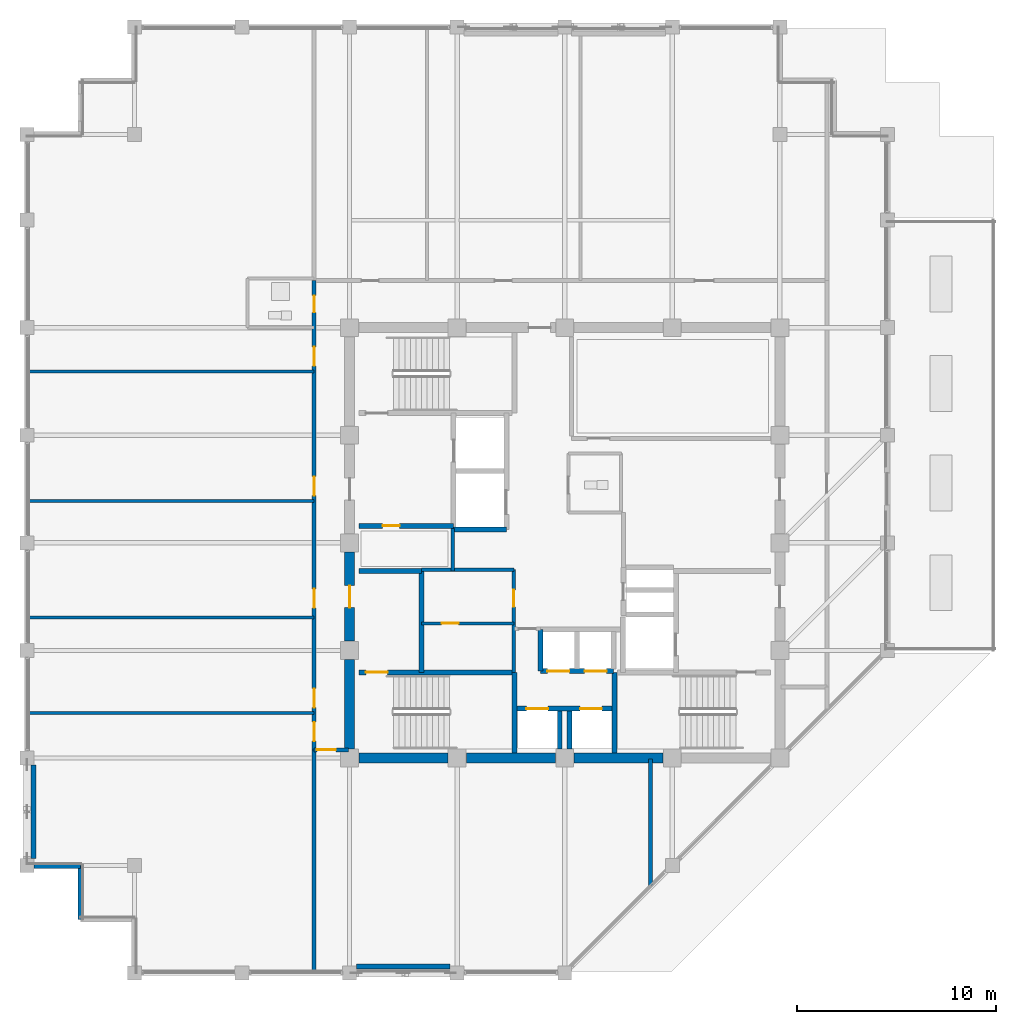
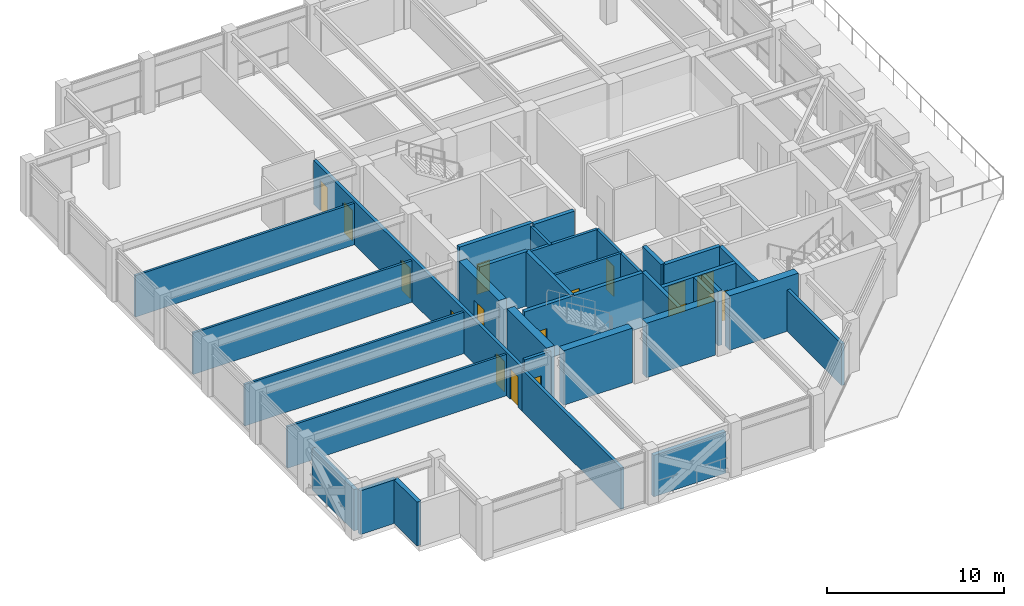
# One storey, part 26 of 34: 33 walls, 16 doors, 16 openings.
"""IFC4 building model written with IfcOpenShell, lengths in metres."""

import ifcopenshell
import ifcopenshell.guid

model = None  # the IFC model being written
_history = None  # IfcOwnerHistory: only IFC2X3 demands one
_inside = {}  # id of a spatial element -> (the spatial element, [elements in it])
_under = {}  # id of a project, library or spatial element -> (it, [spatial elements below it])
_declared = {}  # id of a project -> (the project, [libraries it declares])
_typed = {}  # id of a type object -> (the type object, [elements of that type])
_made_of = {}  # id of a material, layer set ... -> (it, [elements and type objects made of it])


def new_model(schema):
    """Start an empty IFC model of exactly this schema.

    Asked for "IFC4X3", IfcOpenShell would pick the latest addendum, in which some entities
    have other attributes; the version numbers below select the first issue.
    IFC2X3 requires an IfcOwnerHistory on every rooted entity: one is made here for all.
    """
    global model, _history
    if schema == "IFC4X3":
        model = ifcopenshell.file(schema_version=(4, 3, 0, 0))
    else:
        model = ifcopenshell.file(schema=schema)
    _inside.clear()
    _under.clear()
    _declared.clear()
    _typed.clear()
    _made_of.clear()
    _history = None
    if model.schema == "IFC2X3":
        org = make("IfcOrganization", Name="unknown")
        user = make(
            "IfcPersonAndOrganization",
            ThePerson=make("IfcPerson", FamilyName="unknown"),
            TheOrganization=org,
        )
        app = make(
            "IfcApplication",
            ApplicationDeveloper=org,
            Version="unknown",
            ApplicationFullName="unknown",
            ApplicationIdentifier="unknown",
        )
        _history = make(
            "IfcOwnerHistory",
            OwningUser=user,
            OwningApplication=app,
            ChangeAction="ADDED",
            CreationDate=0,
        )
    return model


def make(cls, **values):
    """One entity of the class cls with the attributes given. An attribute that is None is left unset."""
    return model.create_entity(
        cls, **{name: value for name, value in values.items() if value is not None}
    )


def rooted(cls, **values):
    """An entity with a GlobalId (a new one), such as an element, a storey or a relation."""
    return make(cls, GlobalId=ifcopenshell.guid.new(), OwnerHistory=_history, **values)


def si_unit(unit_type, name, prefix=None):
    """IfcSIUnit, for example si_unit("LENGTHUNIT", "METRE", prefix="MILLI")."""
    return make("IfcSIUnit", UnitType=unit_type, Prefix=prefix, Name=name)


def assignment(units):
    """IfcUnitAssignment: the units of a project."""
    return None if units is None else make("IfcUnitAssignment", Units=units)


def point(xyz):
    """IfcCartesianPoint."""
    return None if xyz is None else make("IfcCartesianPoint", Coordinates=xyz)


def direction(xyz):
    """IfcDirection."""
    return None if xyz is None else make("IfcDirection", DirectionRatios=xyz)


def frame(location, z_axis=None, x_axis=None):
    """IfcAxis2Placement3D, a coordinate frame: its origin and axes. An axis left out is left unset."""
    return make(
        "IfcAxis2Placement3D",
        Location=point(location),
        Axis=direction(z_axis),
        RefDirection=direction(x_axis),
    )


def frame_2d(location, x_axis=None):
    """IfcAxis2Placement2D, a coordinate frame in the plane: its origin and x axis."""
    return make(
        "IfcAxis2Placement2D", Location=point(location), RefDirection=direction(x_axis)
    )


def origin():
    """The frame at (0, 0, 0) with its axes left unset."""
    return frame((0.0, 0.0, 0.0))


def place(relative_to, where):
    """IfcLocalPlacement: puts the frame where relative to a parent placement (None: the world)."""
    return make(
        "IfcLocalPlacement", PlacementRelTo=relative_to, RelativePlacement=where
    )


def context(
    kind, dimensions, precision=None, world=None, true_north=None, identifier=None
):
    """IfcGeometricRepresentationContext, for example the 3D "Model" context."""
    return make(
        "IfcGeometricRepresentationContext",
        ContextIdentifier=identifier,
        ContextType=kind,
        CoordinateSpaceDimension=dimensions,
        Precision=precision,
        WorldCoordinateSystem=world,
        TrueNorth=true_north,
    )


def subcontext(parent, identifier, kind, view, scale=None):
    """IfcGeometricRepresentationSubContext, for example "Body" below "Model"."""
    return make(
        "IfcGeometricRepresentationSubContext",
        ContextIdentifier=identifier,
        ContextType=kind,
        ParentContext=parent,
        TargetScale=scale,
        TargetView=view,
    )


def project(units=None, contexts=None):
    """IfcProject with its units and contexts."""
    return rooted(
        "IfcProject",
        Name="project",
        RepresentationContexts=contexts,
        UnitsInContext=assignment(units),
    )


def spatial(cls, under=None, at=None, **own):
    """A site, building, storey or space (cls), placed at a placement, below another one or the project."""
    s = rooted(cls, ObjectPlacement=at, **own)
    if under is not None:
        _under.setdefault(under.id(), (under, []))[1].append(s)
    return s


def profile(cls, at=None, kind="AREA", **sizes):
    """A parametric profile (cls). Its sizes go by their IFC names, for example OverallWidth=200.0."""
    return make(cls, ProfileType=kind, Position=at, **sizes)


def rectangle(**sizes):
    """IfcRectangleProfileDef."""
    return profile("IfcRectangleProfileDef", **sizes)


def extrude(swept, where, along, depth):
    """IfcExtrudedAreaSolid: the profile swept, set in the frame where, extruded along a direction by depth."""
    return make(
        "IfcExtrudedAreaSolid",
        SweptArea=swept,
        Position=where,
        ExtrudedDirection=direction(along),
        Depth=depth,
    )


def shape(context_of_items, identifier, shape_type, items):
    """IfcShapeRepresentation: the items that make up one representation, for example the "Body"."""
    return make(
        "IfcShapeRepresentation",
        ContextOfItems=context_of_items,
        RepresentationIdentifier=identifier,
        RepresentationType=shape_type,
        Items=items,
    )


def material(Name=None, Category=None):
    """IfcMaterial."""
    return make("IfcMaterial", Name=Name, Category=Category)


def layer(
    of_material, thickness, ventilated=None, Name=None, Category=None, Priority=None
):
    """IfcMaterialLayer: one layer of a wall or slab, of a material (None: an air gap)."""
    return make(
        "IfcMaterialLayer",
        Material=of_material,
        LayerThickness=thickness,
        IsVentilated=ventilated,
        Name=Name,
        Category=Category,
        Priority=Priority,
    )


def layer_set(layers, Name=None):
    """IfcMaterialLayerSet."""
    return make("IfcMaterialLayerSet", MaterialLayers=layers, LayerSetName=Name)


def made_of(thing, what):
    """Note that an element or type object is made of a material, layer set ...; save() writes the relation."""
    if what is not None:
        _made_of.setdefault(what.id(), (what, []))[1].append(thing)
    return thing


def type_object(cls, material=None, **own):
    """A type object (cls), such as IfcWallType, which elements share."""
    return made_of(rooted(cls, **own), material)


def element(
    cls,
    number,
    at=None,
    inside=None,
    cuts=None,
    type_object=None,
    material=None,
    context=None,
    identifier="Body",
    shape_type=None,
    held_by="IfcProductDefinitionShape",
    body=None,
    shapes=None,
    **own,
):
    """One element of the class cls, such as IfcWall. Its Tag is "e" and its number.

    at: its placement. inside: the storey or other place that contains it. cuts: it is an
    opening in that element (IfcRelVoidsElement). A single representation is given by context,
    identifier, shape_type and body (its items); several are given by shapes. held_by: the class
    of the entity that holds the representations. save() writes the other relations.
    """
    e = rooted(cls, Tag="e%d" % number, ObjectPlacement=at, **own)
    if body is not None:
        shapes = [shape(context, identifier, shape_type, body)]
    if shapes is not None:
        e.Representation = make(held_by, Representations=shapes)
    if inside is not None:
        _inside.setdefault(inside.id(), (inside, []))[1].append(e)
    if cuts is not None:
        rooted(
            "IfcRelVoidsElement", RelatingBuildingElement=cuts, RelatedOpeningElement=e
        )
    if type_object is not None:
        _typed.setdefault(type_object.id(), (type_object, []))[1].append(e)
    return made_of(e, material)


def fill(opening, filler):
    """IfcRelFillsElement: the door or window that sits in an opening."""
    return rooted(
        "IfcRelFillsElement",
        RelatingOpeningElement=opening,
        RelatedBuildingElement=filler,
    )


def aggregate(whole, parts):
    """IfcRelAggregates: a whole, such as a stair, and the parts it consists of."""
    return rooted("IfcRelAggregates", RelatingObject=whole, RelatedObjects=parts)


def save(model, path):
    """Write the relations noted so far, then the file.

    IfcRelAggregates (storeys below a building ...), IfcRelContainedInSpatialStructure (elements
    in a storey), IfcRelDefinesByType, IfcRelAssociatesMaterial and IfcRelDeclares: one each for
    every whole, place, type object, material and project.
    """
    for whole, parts in _under.values():
        aggregate(whole, parts)
    for where, things in _inside.values():
        rooted(
            "IfcRelContainedInSpatialStructure",
            RelatedElements=things,
            RelatingStructure=where,
        )
    for kind, things in _typed.values():
        rooted("IfcRelDefinesByType", RelatedObjects=things, RelatingType=kind)
    for what, things in _made_of.values():
        rooted("IfcRelAssociatesMaterial", RelatedObjects=things, RelatingMaterial=what)
    for by, libraries in _declared.values():
        rooted("IfcRelDeclares", RelatingContext=by, RelatedDefinitions=libraries)
    model.write(path)


model = new_model("IFC4")

# Units and contexts
model_context = context("Model", 3, precision=1e-05, world=origin(), true_north=direction((0.0, 1.0)))
body_context = subcontext(model_context, "Body", "Model", "MODEL_VIEW")
ifc_project = project(units=[si_unit("LENGTHUNIT", "METRE"), si_unit("AREAUNIT", "SQUARE_METRE"), si_unit("VOLUMEUNIT", "CUBIC_METRE"), si_unit("PLANEANGLEUNIT", "RADIAN"), si_unit("MASSUNIT", "GRAM", prefix="KILO")], contexts=[model_context])

# Site, building, storey
site_placement = place(None, origin())
site = spatial("IfcSite", under=ifc_project, at=site_placement, CompositionType="ELEMENT")
building_placement = place(site_placement, origin())
building = spatial("IfcBuilding", under=site, at=building_placement, Name="Surkhivell Harbour Commons", CompositionType="ELEMENT")
storey_placement = place(building_placement, frame((0.0, 0.0, 258.75)))
storey = spatial("IfcBuildingStorey", under=building, at=storey_placement, Name="L67", CompositionType="ELEMENT", Elevation=258.75)

# Walls
ifc_material_1 = material(Name="Concrete C50/60", Category="concrete")
ifc_layer_1 = layer(ifc_material_1, 0.5)
ifc_layer_set_1 = layer_set([ifc_layer_1], Name="Concrete C50/60")
wall_type_1 = type_object("IfcWallType", Name="WAL-CORE-500", PredefinedType="SHEAR", material=ifc_layer_set_1)
for number, where, z_axis, x_axis, name in (
    (1, (-10.340087890625, -10.800048828125, 0.0), (0.0, 0.0, 1.0), (1.0, 0.0, 0.0), "L67 Core Shear Wall South 1"),
    (2, (-10.800048828125, -10.340087890625, 0.0), (0.0, 0.0, 1.0), (0.0, 1.0, 0.0), "L67 Core Shear Wall West 1"),
    (3, (-4.93994140625, -10.800048828125, 0.0), (0.0, 0.0, 1.0), (1.0, 0.0, 0.0), "L67 Core Shear Wall South 2"),
):
    element("IfcWall", number, at=place(storey_placement, frame(where, z_axis=z_axis, x_axis=x_axis)), inside=storey, type_object=wall_type_1, Name=name, PredefinedType="SHEAR", context=body_context, shape_type="SweptSolid", body=[
        extrude(rectangle(XDim=4.47998046875, YDim=0.5, at=frame_2d((2.239990234375, 0.0))), origin(), (0.0, 0.0, 1.0), 3.75),
    ])

# Wall, opening, door
wall_1_placement = place(storey_placement, frame((-10.800048828125, -4.93994140625, 0.0), z_axis=(0.0, 0.0, 1.0), x_axis=(0.0, 1.0, 0.0)))
wall_1 = element("IfcWall", 4, at=wall_1_placement, inside=storey, type_object=wall_type_1, Name="L67 Core Shear Wall West 2", PredefinedType="SHEAR", context=body_context, shape_type="SweptSolid", body=[
    extrude(rectangle(XDim=4.47998046875, YDim=0.5, at=frame_2d((2.239990234375, 0.0))), origin(), (0.0, 0.0, 1.0), 3.75),
])
opening_1_placement = place(wall_1_placement, frame((1.68994140625, 0.0, 0.0)))
opening_1 = element("IfcOpeningElement", 5, at=opening_1_placement, cuts=wall_1, Name="Opening ID-2", PredefinedType="OPENING", context=body_context, shape_type="SweptSolid", body=[
    extrude(rectangle(XDim=1.10009765625, YDim=2.10009765625, at=frame_2d((0.550048828125, 1.050048828125))), frame((0.0, 0.260009765625, 0.0), z_axis=(0.0, -1.0, 0.0), x_axis=(1.0, 0.0, 0.0)), (0.0, 0.0, 1.0), 0.52001953125),
])
ifc_material_2 = material(Name="Hardwood-veneered fire-rated door leaf", Category="wood")
door_type_1 = type_object("IfcDoorType", Name="DOR-FD60-1100", OperationType="NOTDEFINED", PredefinedType="DOOR", material=ifc_material_2)
door_1_placement = place(opening_1_placement, origin())
door_1 = element("IfcDoor", 6, at=door_1_placement, inside=storey, type_object=door_type_1, Name="L67 Stair 3 Lobby Corridor Door", OperationType="SINGLE_SWING_LEFT", OverallHeight=2.10009765625, OverallWidth=1.10009765625, PredefinedType="DOOR", context=body_context, shape_type="SweptSolid", body=[
    extrude(rectangle(XDim=1.10009765625, YDim=2.10009765625, at=frame_2d((0.550048828125, 1.050048828125))), frame((0.0, 0.02490234375, 0.0), z_axis=(0.0, -1.0, 0.0), x_axis=(1.0, 0.0, 0.0)), (0.0, 0.0, 1.0), 0.050048828125),
])
fill(opening_1, door_1)

# Walls
wall_2_placement = place(storey_placement, frame((0.4599609375, -10.800048828125, 0.0), z_axis=(0.0, 0.0, 1.0), x_axis=(1.0, 0.0, 0.0)))
element("IfcWall", 7, at=wall_2_placement, inside=storey, type_object=wall_type_1, Name="L67 Core Shear Wall South 3", PredefinedType="SHEAR", context=body_context, shape_type="SweptSolid", body=[
    extrude(rectangle(XDim=4.47998046875, YDim=0.5, at=frame_2d((2.239990234375, 0.0))), origin(), (0.0, 0.0, 1.0), 3.75),
])
ifc_material_3 = material(Name="Pale-metal insulated precast concrete C45/55", Category="concrete")
ifc_layer_2 = layer(ifc_material_3, 0.260009765625)
ifc_layer_set_2 = layer_set([ifc_layer_2], Name="Pale-metal insulated precast concrete C45/55")
wall_type_2 = type_object("IfcWallType", Name="WAL-EXT-MTL260", PredefinedType="STANDARD", material=ifc_layer_set_2)
wall_3_placement = place(storey_placement, frame((-10.451904296875, -21.264892578125, 0.0), z_axis=(0.0, 0.0, 1.0), x_axis=(1.0, 0.0, 0.0)))
element("IfcWall", 8, at=wall_3_placement, inside=storey, type_object=wall_type_2, Name="L67 Braced-Bay Insulated Spandrel Backing S", PredefinedType="STANDARD", context=body_context, shape_type="SweptSolid", body=[
    extrude(rectangle(XDim=4.703857421875, YDim=0.260009765625, at=frame_2d((2.35205078125, 0.0))), origin(), (0.0, 0.0, 1.0), 2.85693359375),
])
wall_4_placement = place(storey_placement, frame((-26.6650390625, -11.14794921875, 0.0), z_axis=(0.0, 0.0, 1.0), x_axis=(0.0, -1.0, 0.0)))
element("IfcWall", 9, at=wall_4_placement, inside=storey, type_object=wall_type_2, Name="L67 Braced-Bay Insulated Spandrel Backing W", PredefinedType="STANDARD", context=body_context, shape_type="SweptSolid", body=[
    extrude(rectangle(XDim=4.7041015625, YDim=0.260009765625, at=frame_2d((2.35205078125, 0.0))), origin(), (0.0, 0.0, 1.0), 2.85693359375),
])
ifc_material_4 = material(Name="Terracotta-clad reinforced concrete C45/55", Category="masonry")
ifc_layer_3 = layer(ifc_material_4, 0.280029296875)
ifc_layer_set_3 = layer_set([ifc_layer_3], Name="Terracotta-clad reinforced concrete C45/55")
wall_type_3 = type_object("IfcWallType", Name="WAL-EXT-TER280", PredefinedType="STANDARD", material=ifc_layer_set_3)
wall_5_placement = place(storey_placement, frame((-26.652099609375, -16.199951171875, 0.0), z_axis=(0.0, 0.0, 1.0), x_axis=(1.0, 0.0, 0.0)))
element("IfcWall", 10, at=wall_5_placement, inside=storey, type_object=wall_type_3, Name="L67 Serrated Corner Facade Wall 13", PredefinedType="STANDARD", context=body_context, shape_type="SweptSolid", body=[
    extrude(rectangle(XDim=2.35205078125, YDim=0.280029296875, at=frame_2d((1.176025390625, 0.0))), origin(), (0.0, 0.0, 1.0), 3.012939453125),
])
wall_6_placement = place(storey_placement, frame((-24.300048828125, -16.199951171875, 0.0), z_axis=(0.0, 0.0, 1.0), x_axis=(0.0, -1.0, 0.0)))
element("IfcWall", 11, at=wall_6_placement, inside=storey, type_object=wall_type_3, Name="L67 Serrated Corner Facade Wall 14", PredefinedType="STANDARD", context=body_context, shape_type="SweptSolid", body=[
    extrude(rectangle(XDim=2.699951171875, YDim=0.280029296875, at=frame_2d((1.35009765625, 0.0))), origin(), (0.0, 0.0, 1.0), 3.012939453125),
])

# Wall, opening, door
ifc_material_5 = material(Name="Twin-stud acoustic fireboard partition", Category="other")
ifc_layer_4 = layer(ifc_material_5, 0.14990234375)
ifc_layer_set_4 = layer_set([ifc_layer_4], Name="Twin-stud acoustic fireboard partition")
wall_type_4 = type_object("IfcWallType", Name="WAL-INT-150", PredefinedType="PARTITIONING", material=ifc_layer_set_4)
wall_7_placement = place(storey_placement, frame((-7.179931640625, -4.050048828125, 0.0), z_axis=(0.0, 0.0, 1.0), x_axis=(1.0, 0.0, 0.0)))
wall_7 = element("IfcWall", 12, at=wall_7_placement, inside=storey, type_object=wall_type_4, Name="L67 Core Cut A Partition", PredefinedType="PARTITIONING", context=body_context, shape_type="SweptSolid", body=[
    extrude(rectangle(XDim=4.6298828125, YDim=0.14990234375, at=frame_2d((2.31494140625, 0.0))), origin(), (0.0, 0.0, 1.0), 3.570068359375),
])
opening_2_placement = place(wall_7_placement, frame((1.0, 0.0, 0.0)))
opening_2 = element("IfcOpeningElement", 13, at=opening_2_placement, cuts=wall_7, Name="Opening ID-6", PredefinedType="OPENING", context=body_context, shape_type="SweptSolid", body=[
    extrude(rectangle(XDim=0.85009765625, YDim=2.10009765625, at=frame_2d((0.425048828125, 1.050048828125))), frame((0.0, 0.0849609375, 0.0), z_axis=(0.0, -1.0, 0.0), x_axis=(1.0, 0.0, 0.0)), (0.0, 0.0, 1.0), 0.169921875),
])
door_type_2 = type_object("IfcDoorType", Name="DOR-FD30-850", OperationType="NOTDEFINED", PredefinedType="DOOR", material=ifc_material_2)
door_2_placement = place(opening_2_placement, origin())
door_2 = element("IfcDoor", 14, at=door_2_placement, inside=storey, type_object=door_type_2, Name="L67 Linen Room Door", OperationType="SINGLE_SWING_RIGHT", OverallHeight=2.10009765625, OverallWidth=0.85009765625, PredefinedType="DOOR", context=body_context, shape_type="SweptSolid", body=[
    extrude(rectangle(XDim=0.85009765625, YDim=2.10009765625, at=frame_2d((0.425048828125, 1.050048828125))), frame((0.0, 0.02490234375, 0.0), z_axis=(0.0, -1.0, 0.0), x_axis=(1.0, 0.0, 0.0)), (0.0, 0.0, 1.0), 0.050048828125),
])
fill(opening_2, door_2)

# Walls
for number, where, z_axis, x_axis, name in (
    (15, (-26.93994140625, -3.75, 0.0), (0.0, 0.0, 1.0), (1.0, 0.0, 0.0), "L67 West Partition BDP1"),
    (16, (-26.93994140625, 2.090087890625, 0.0), (0.0, 0.0, 1.0), (1.0, 0.0, 0.0), "L67 West Partition BDP2"),
    (17, (-26.93994140625, -8.550048828125, 0.0), (0.0, 0.0, 1.0), (1.0, 0.0, 0.0), "L67 West Partition PBOT"),
    (18, (-26.93994140625, 8.610107421875, 0.0), (0.0, 0.0, 1.0), (1.0, 0.0, 0.0), "L67 West Partition PTOP"),
):
    element("IfcWall", number, at=place(storey_placement, frame(where, z_axis=z_axis, x_axis=x_axis)), inside=storey, type_object=wall_type_4, Name=name, PredefinedType="PARTITIONING", context=body_context, shape_type="SweptSolid", body=[
        extrude(rectangle(XDim=14.35986328125, YDim=0.14990234375, at=frame_2d((7.179931640625, 0.0))), origin(), (0.0, 0.0, 1.0), 2.85693359375),
    ])

# Wall, opening, door
ifc_material_6 = material(Name="High-density acoustic blockwork fire partition", Category="masonry")
ifc_layer_5 = layer(ifc_material_6, 0.175048828125)
ifc_layer_set_5 = layer_set([ifc_layer_5], Name="High-density acoustic blockwork fire partition")
wall_type_5 = type_object("IfcWallType", Name="WAL-INT-175", PredefinedType="PARTITIONING", material=ifc_layer_set_5)
wall_8_placement = place(storey_placement, frame((-2.550048828125, -6.510009765625, 0.0), z_axis=(0.0, 0.0, 1.0), x_axis=(0.0, 1.0, 0.0)))
wall_8 = element("IfcWall", 19, at=wall_8_placement, inside=storey, type_object=wall_type_5, Name="L67 Core Service Bay East Wall", PredefinedType="PARTITIONING", context=body_context, shape_type="SweptSolid", body=[
    extrude(rectangle(XDim=5.159912109375, YDim=0.175048828125, at=frame_2d((2.580078125, 0.0))), origin(), (0.0, 0.0, 1.0), 3.570068359375),
])
opening_3_placement = place(wall_8_placement, frame((3.300048828125, 0.0, 0.0)))
opening_3 = element("IfcOpeningElement", 20, at=opening_3_placement, cuts=wall_8, Name="Opening ID-6", PredefinedType="OPENING", context=body_context, shape_type="SweptSolid", body=[
    extrude(rectangle(XDim=0.85009765625, YDim=2.10009765625, at=frame_2d((0.425048828125, 1.050048828125))), frame((0.0, 0.097412109375, 0.0), z_axis=(0.0, -1.0, 0.0), x_axis=(1.0, 0.0, 0.0)), (0.0, 0.0, 1.0), 0.195068359375),
])
door_3_placement = place(opening_3_placement, origin())
door_3 = element("IfcDoor", 21, at=door_3_placement, inside=storey, type_object=door_type_2, Name="L67 Core Reading Alcove Door", OperationType="SINGLE_SWING_LEFT", OverallHeight=2.10009765625, OverallWidth=0.85009765625, PredefinedType="DOOR", context=body_context, shape_type="SweptSolid", body=[
    extrude(rectangle(XDim=0.85009765625, YDim=2.10009765625, at=frame_2d((0.425048828125, 1.050048828125))), frame((0.0, 0.02490234375, 0.0), z_axis=(0.0, -1.0, 0.0), x_axis=(1.0, 0.0, 0.0)), (0.0, 0.0, 1.0), 0.050048828125),
])
fill(opening_3, door_3)

# Walls
wall_9_placement = place(storey_placement, frame((-7.179931640625, -1.35009765625, 0.0), z_axis=(0.0, 0.0, 1.0), x_axis=(1.0, 0.0, 0.0)))
element("IfcWall", 22, at=wall_9_placement, inside=storey, type_object=wall_type_5, Name="L67 Core Service Bay North Wall", PredefinedType="PARTITIONING", context=body_context, shape_type="SweptSolid", body=[
    extrude(rectangle(XDim=4.6298828125, YDim=0.175048828125, at=frame_2d((2.31494140625, 0.0))), origin(), (0.0, 0.0, 1.0), 3.570068359375),
])
wall_10_placement = place(storey_placement, frame((-5.6201171875, -1.419921875, 0.0), z_axis=(0.0, 0.0, 1.0), x_axis=(0.0, 1.0, 0.0)))
element("IfcWall", 23, at=wall_10_placement, inside=storey, type_object=wall_type_5, Name="L67 West Core Bay East Wall", PredefinedType="PARTITIONING", context=body_context, shape_type="SweptSolid", body=[
    extrude(rectangle(XDim=2.139892578125, YDim=0.175048828125, at=frame_2d((1.06982421875, 0.0))), origin(), (0.0, 0.0, 1.0), 3.570068359375),
])
ifc_material_7 = material(Name="Autoclaved aerated concrete blockwork and fire plaster", Category="masonry")
ifc_layer_6 = layer(ifc_material_7, 0.199951171875)
ifc_layer_set_6 = layer_set([ifc_layer_6], Name="Autoclaved aerated concrete blockwork and fire plaster")
wall_type_6 = type_object("IfcWallType", Name="WAL-INT-200", PredefinedType="PARTITIONING", material=ifc_layer_set_6)
wall_11_placement = place(storey_placement, frame((4.300048828125, -17.215087890625, 0.0), z_axis=(0.0, 0.0, 1.0), x_axis=(0.0, 1.0, 0.0)))
element("IfcWall", 24, at=wall_11_placement, inside=storey, type_object=wall_type_6, Name="L67 South Hall East Wall", PredefinedType="PARTITIONING", context=body_context, shape_type="SweptSolid", body=[
    extrude(rectangle(XDim=6.364990234375, YDim=0.199951171875, at=frame_2d((3.1826171875, 0.0))), origin(), (0.0, 0.0, 1.0), 2.85693359375),
])
wall_12_placement = place(storey_placement, frame((-12.580078125, -21.5400390625, 0.0), z_axis=(0.0, 0.0, 1.0), x_axis=(0.0, 1.0, 0.0)))
element("IfcWall", 25, at=wall_12_placement, inside=storey, type_object=wall_type_6, Name="L67 South Hall West Divider", PredefinedType="PARTITIONING", context=body_context, shape_type="SweptSolid", body=[
    extrude(rectangle(XDim=11.14013671875, YDim=0.199951171875, at=frame_2d((5.570068359375, 0.0))), origin(), (0.0, 0.0, 1.0), 2.85693359375),
])

# Wall, openings, doors
wall_13_placement = place(storey_placement, frame((-12.580078125, -10.39990234375, 0.0), z_axis=(0.0, 0.0, 1.0), x_axis=(0.0, 1.0, 0.0)))
wall_13 = element("IfcWall", 26, at=wall_13_placement, inside=storey, type_object=wall_type_6, Name="L67 West Corridor Wall", PredefinedType="PARTITIONING", context=body_context, shape_type="SweptSolid", body=[
    extrude(rectangle(XDim=23.559814453125, YDim=0.199951171875, at=frame_2d((11.77978515625, 0.0))), origin(), (0.0, 0.0, 1.0), 3.012939453125),
])
opening_4_placement = place(wall_13_placement, frame((0.445068359375, 0.0, 0.0)))
opening_4 = element("IfcOpeningElement", 27, at=opening_4_placement, cuts=wall_13, Name="Opening ID-4", PredefinedType="OPENING", context=body_context, shape_type="SweptSolid", body=[
    extrude(rectangle(XDim=0.949951171875, YDim=2.10009765625, at=frame_2d((0.47509765625, 1.050048828125))), frame((0.0, 0.10986328125, 0.0), z_axis=(0.0, -1.0, 0.0), x_axis=(1.0, 0.0, 0.0)), (0.0, 0.0, 1.0), 0.219970703125),
])
opening_5_placement = place(wall_13_placement, frame((21.965087890625, 0.0, 0.0)))
opening_5 = element("IfcOpeningElement", 28, at=opening_5_placement, cuts=wall_13, Name="Opening ID-6", PredefinedType="OPENING", context=body_context, shape_type="SweptSolid", body=[
    extrude(rectangle(XDim=0.85009765625, YDim=2.10009765625, at=frame_2d((0.425048828125, 1.050048828125))), frame((0.0, 0.10986328125, 0.0), z_axis=(0.0, -1.0, 0.0), x_axis=(1.0, 0.0, 0.0)), (0.0, 0.0, 1.0), 0.219970703125),
])
opening_6_placement = place(wall_13_placement, frame((19.2900390625, 0.0, 0.0)))
opening_6 = element("IfcOpeningElement", 29, at=opening_6_placement, cuts=wall_13, Name="Opening ID-4", PredefinedType="OPENING", context=body_context, shape_type="SweptSolid", body=[
    extrude(rectangle(XDim=0.949951171875, YDim=2.10009765625, at=frame_2d((0.47509765625, 1.050048828125))), frame((0.0, 0.10986328125, 0.0), z_axis=(0.0, -1.0, 0.0), x_axis=(1.0, 0.0, 0.0)), (0.0, 0.0, 1.0), 0.219970703125),
])
opening_7_placement = place(wall_13_placement, frame((2.1298828125, 0.0, 0.0)))
opening_7 = element("IfcOpeningElement", 30, at=opening_7_placement, cuts=wall_13, Name="Opening ID-4", PredefinedType="OPENING", context=body_context, shape_type="SweptSolid", body=[
    extrude(rectangle(XDim=0.949951171875, YDim=2.10009765625, at=frame_2d((0.47509765625, 1.050048828125))), frame((0.0, 0.10986328125, 0.0), z_axis=(0.0, -1.0, 0.0), x_axis=(1.0, 0.0, 0.0)), (0.0, 0.0, 1.0), 0.219970703125),
])
opening_8_placement = place(wall_13_placement, frame((7.13623046875, 0.0, 0.0)))
opening_8 = element("IfcOpeningElement", 31, at=opening_8_placement, cuts=wall_13, Name="Opening ID-4", PredefinedType="OPENING", context=body_context, shape_type="SweptSolid", body=[
    extrude(rectangle(XDim=0.949951171875, YDim=2.10009765625, at=frame_2d((0.47509765625, 1.050048828125))), frame((0.0, 0.10986328125, 0.0), z_axis=(0.0, -1.0, 0.0), x_axis=(1.0, 0.0, 0.0)), (0.0, 0.0, 1.0), 0.219970703125),
])
opening_9_placement = place(wall_13_placement, frame((12.77001953125, 0.0, 0.0)))
opening_9 = element("IfcOpeningElement", 32, at=opening_9_placement, cuts=wall_13, Name="Opening ID-4", PredefinedType="OPENING", context=body_context, shape_type="SweptSolid", body=[
    extrude(rectangle(XDim=0.949951171875, YDim=2.10009765625, at=frame_2d((0.47509765625, 1.050048828125))), frame((0.0, 0.10986328125, 0.0), z_axis=(0.0, -1.0, 0.0), x_axis=(1.0, 0.0, 0.0)), (0.0, 0.0, 1.0), 0.219970703125),
])
door_4_placement = place(opening_5_placement, origin())
door_4 = element("IfcDoor", 33, at=door_4_placement, inside=storey, type_object=door_type_2, Name="L67 Communal Shower Bathroom West Door", OperationType="SINGLE_SWING_LEFT", OverallHeight=2.10009765625, OverallWidth=0.85009765625, PredefinedType="DOOR", context=body_context, shape_type="SweptSolid", body=[
    extrude(rectangle(XDim=0.85009765625, YDim=2.10009765625, at=frame_2d((0.425048828125, 1.050048828125))), frame((0.0, 0.02490234375, 0.0), z_axis=(0.0, -1.0, 0.0), x_axis=(1.0, 0.0, 0.0)), (0.0, 0.0, 1.0), 0.050048828125),
])
fill(opening_5, door_4)
door_type_3 = type_object("IfcDoorType", Name="DOR-FD60-950", OperationType="NOTDEFINED", PredefinedType="DOOR", material=ifc_material_2)
door_5_placement = place(opening_4_placement, origin())
door_5 = element("IfcDoor", 34, at=door_5_placement, inside=storey, type_object=door_type_3, Name="L67 Shared Communal Kitchen West Door", OperationType="SINGLE_SWING_RIGHT", OverallHeight=2.10009765625, OverallWidth=0.949951171875, PredefinedType="DOOR", context=body_context, shape_type="SweptSolid", body=[
    extrude(rectangle(XDim=0.949951171875, YDim=2.10009765625, at=frame_2d((0.47509765625, 1.050048828125))), frame((0.0, 0.02490234375, 0.0), z_axis=(0.0, -1.0, 0.0), x_axis=(1.0, 0.0, 0.0)), (0.0, 0.0, 1.0), 0.050048828125),
])
fill(opening_4, door_5)
door_6_placement = place(opening_6_placement, origin())
door_6 = element("IfcDoor", 35, at=door_6_placement, inside=storey, type_object=door_type_3, Name="L67 Academic Reading Commons West Door", OperationType="SINGLE_SWING_RIGHT", OverallHeight=2.10009765625, OverallWidth=0.949951171875, PredefinedType="DOOR", context=body_context, shape_type="SweptSolid", body=[
    extrude(rectangle(XDim=0.949951171875, YDim=2.10009765625, at=frame_2d((0.47509765625, 1.050048828125))), frame((0.0, 0.02490234375, 0.0), z_axis=(0.0, -1.0, 0.0), x_axis=(1.0, 0.0, 0.0)), (0.0, 0.0, 1.0), 0.050048828125),
])
fill(opening_6, door_6)
door_7_placement = place(opening_7_placement, origin())
door_7 = element("IfcDoor", 36, at=door_7_placement, inside=storey, type_object=door_type_3, Name="L67 Hostel Cluster Bedroom 1 West Door", OperationType="SINGLE_SWING_LEFT", OverallHeight=2.10009765625, OverallWidth=0.949951171875, PredefinedType="DOOR", context=body_context, shape_type="SweptSolid", body=[
    extrude(rectangle(XDim=0.949951171875, YDim=2.10009765625, at=frame_2d((0.47509765625, 1.050048828125))), frame((0.0, 0.02490234375, 0.0), z_axis=(0.0, -1.0, 0.0), x_axis=(1.0, 0.0, 0.0)), (0.0, 0.0, 1.0), 0.050048828125),
])
fill(opening_7, door_7)
door_8_placement = place(opening_8_placement, origin())
door_8 = element("IfcDoor", 37, at=door_8_placement, inside=storey, type_object=door_type_3, Name="L67 Co-Living Dormitory Bedroom 2 West Door", OperationType="SINGLE_SWING_RIGHT", OverallHeight=2.10009765625, OverallWidth=0.949951171875, PredefinedType="DOOR", context=body_context, shape_type="SweptSolid", body=[
    extrude(rectangle(XDim=0.949951171875, YDim=2.10009765625, at=frame_2d((0.47509765625, 1.050048828125))), frame((0.0, 0.02490234375, 0.0), z_axis=(0.0, -1.0, 0.0), x_axis=(1.0, 0.0, 0.0)), (0.0, 0.0, 1.0), 0.050048828125),
])
fill(opening_8, door_8)
door_9_placement = place(opening_9_placement, origin())
door_9 = element("IfcDoor", 38, at=door_9_placement, inside=storey, type_object=door_type_3, Name="L67 Hostel Cluster Bedroom 3 West Door", OperationType="SINGLE_SWING_LEFT", OverallHeight=2.10009765625, OverallWidth=0.949951171875, PredefinedType="DOOR", context=body_context, shape_type="SweptSolid", body=[
    extrude(rectangle(XDim=0.949951171875, YDim=2.10009765625, at=frame_2d((0.47509765625, 1.050048828125))), frame((0.0, 0.02490234375, 0.0), z_axis=(0.0, -1.0, 0.0), x_axis=(1.0, 0.0, 0.0)), (0.0, 0.0, 1.0), 0.050048828125),
])
fill(opening_9, door_9)

# Wall, opening, door
wall_14_placement = place(storey_placement, frame((-12.580078125, -10.39990234375, 0.0), z_axis=(0.0, 0.0, 1.0), x_axis=(1.0, 0.0, 0.0)))
wall_14 = element("IfcWall", 39, at=wall_14_placement, inside=storey, type_object=wall_type_6, Name="L67 West Corridor South Portal Wall", PredefinedType="PARTITIONING", context=body_context, shape_type="SweptSolid", body=[
    extrude(rectangle(XDim=1.72998046875, YDim=0.199951171875, at=frame_2d((0.864990234375, 0.0))), origin(), (0.0, 0.0, 1.0), 3.570068359375),
])
opening_10_placement = place(wall_14_placement, frame((0.139892578125, 0.0, 0.0)))
opening_10 = element("IfcOpeningElement", 40, at=opening_10_placement, cuts=wall_14, Name="Opening ID-4", PredefinedType="OPENING", context=body_context, shape_type="SweptSolid", body=[
    extrude(rectangle(XDim=0.949951171875, YDim=2.10009765625, at=frame_2d((0.47509765625, 1.050048828125))), frame((0.0, 0.10986328125, 0.0), z_axis=(0.0, -1.0, 0.0), x_axis=(1.0, 0.0, 0.0)), (0.0, 0.0, 1.0), 0.219970703125),
])
door_10_placement = place(opening_10_placement, origin())
door_10 = element("IfcDoor", 41, at=door_10_placement, inside=storey, type_object=door_type_3, Name="L67 South Reading Door", OperationType="SINGLE_SWING_RIGHT", OverallHeight=2.10009765625, OverallWidth=0.949951171875, PredefinedType="DOOR", context=body_context, shape_type="SweptSolid", body=[
    extrude(rectangle(XDim=0.949951171875, YDim=2.10009765625, at=frame_2d((0.47509765625, 1.050048828125))), frame((0.0, 0.02490234375, 0.0), z_axis=(0.0, -1.0, 0.0), x_axis=(1.0, 0.0, 0.0)), (0.0, 0.0, 1.0), 0.050048828125),
])
fill(opening_10, door_10)

ifc_layer_7 = layer(ifc_material_1, 0.25)
ifc_layer_set_7 = layer_set([ifc_layer_7], Name="Concrete C50/60")
wall_type_7 = type_object("IfcWallType", Name="WAL-SHAFT-250", PredefinedType="SHEAR", material=ifc_layer_set_7)
wall_15_placement = place(storey_placement, frame((-10.340087890625, 0.85009765625, 0.0), z_axis=(0.0, 0.0, 1.0), x_axis=(1.0, 0.0, 0.0)))
wall_15 = element("IfcWall", 42, at=wall_15_placement, inside=storey, type_object=wall_type_7, Name="L67 Firefighting Lobby 1 South Wall", PredefinedType="SHEAR", context=body_context, shape_type="SweptSolid", body=[
    extrude(rectangle(XDim=4.760009765625, YDim=0.25, at=frame_2d((2.3798828125, 0.0))), origin(), (0.0, 0.0, 1.0), 3.75),
])
opening_11_placement = place(wall_15_placement, frame((1.199951171875, 0.0, 0.0)))
opening_11 = element("IfcOpeningElement", 43, at=opening_11_placement, cuts=wall_15, Name="Opening ID-6", PredefinedType="OPENING", context=body_context, shape_type="SweptSolid", body=[
    extrude(rectangle(XDim=0.85009765625, YDim=2.10009765625, at=frame_2d((0.425048828125, 1.050048828125))), frame((0.0, 0.135009765625, 0.0), z_axis=(0.0, -1.0, 0.0), x_axis=(1.0, 0.0, 0.0)), (0.0, 0.0, 1.0), 0.27001953125),
])
door_11_placement = place(opening_11_placement, origin())
door_11 = element("IfcDoor", 44, at=door_11_placement, inside=storey, type_object=door_type_2, Name="L67 West Quiet Study Door", OperationType="SINGLE_SWING_RIGHT", OverallHeight=2.10009765625, OverallWidth=0.85009765625, PredefinedType="DOOR", context=body_context, shape_type="SweptSolid", body=[
    extrude(rectangle(XDim=0.85009765625, YDim=2.10009765625, at=frame_2d((0.425048828125, 1.050048828125))), frame((0.0, 0.02490234375, 0.0), z_axis=(0.0, -1.0, 0.0), x_axis=(1.0, 0.0, 0.0)), (0.0, 0.0, 1.0), 0.050048828125),
])
fill(opening_11, door_11)

# Walls
for number, where, z_axis, x_axis, name in (
    (45, (-0.25, -10.35009765625, 0.0), (0.0, 0.0, 1.0), (0.0, 1.0, 0.0), "L67 High-Rise Side Wall S"),
    (46, (0.25, -10.35009765625, 0.0), (0.0, 0.0, 1.0), (0.0, 1.0, 0.0), "L67 High-Rise Side Wall S"),
):
    element("IfcWall", number, at=place(storey_placement, frame(where, z_axis=z_axis, x_axis=x_axis)), inside=storey, type_object=wall_type_7, Name=name, PredefinedType="SHEAR", context=body_context, shape_type="SweptSolid", body=[
        extrude(rectangle(XDim=1.91015625, YDim=0.25, at=frame_2d((0.955078125, 0.0))), origin(), (0.0, 0.0, 1.0), 3.75),
    ])
wall_16_placement = place(storey_placement, frame((-1.219970703125, -6.43994140625, 0.0), z_axis=(0.0, 0.0, 1.0), x_axis=(0.0, 1.0, 0.0)))
element("IfcWall", 47, at=wall_16_placement, inside=storey, type_object=wall_type_7, Name="L67 High-Rise Passage East Shaft Wall", PredefinedType="SHEAR", context=body_context, shape_type="SweptSolid", body=[
    extrude(rectangle(XDim=2.079833984375, YDim=0.25, at=frame_2d((1.0400390625, 0.0))), origin(), (0.0, 0.0, 1.0), 3.75),
])

# Wall, openings, doors
wall_17_placement = place(storey_placement, frame((-1.219970703125, -6.43994140625, 0.0), z_axis=(0.0, 0.0, 1.0), x_axis=(1.0, 0.0, 0.0)))
wall_17 = element("IfcWall", 48, at=wall_17_placement, inside=storey, type_object=wall_type_7, Name="L67 High-Rise North Front Shaft Wall", PredefinedType="SHEAR", context=body_context, shape_type="SweptSolid", body=[
    extrude(rectangle(XDim=3.669921875, YDim=0.25, at=frame_2d((1.8349609375, 0.0))), origin(), (0.0, 0.0, 1.0), 3.75),
])
opening_12_placement = place(wall_17_placement, frame((0.35009765625, 0.0, 0.0)))
opening_12 = element("IfcOpeningElement", 49, at=opening_12_placement, cuts=wall_17, Name="Opening LD-1", PredefinedType="OPENING", context=body_context, shape_type="SweptSolid", body=[
    extrude(rectangle(XDim=1.10009765625, YDim=2.10009765625, at=frame_2d((0.550048828125, 1.050048828125))), frame((0.0, 0.135009765625, 0.0), z_axis=(0.0, -1.0, 0.0), x_axis=(1.0, 0.0, 0.0)), (0.0, 0.0, 1.0), 0.27001953125),
])
opening_13_placement = place(wall_17_placement, frame((2.219970703125, 0.0, 0.0)))
opening_13 = element("IfcOpeningElement", 50, at=opening_13_placement, cuts=wall_17, Name="Opening LD-1", PredefinedType="OPENING", context=body_context, shape_type="SweptSolid", body=[
    extrude(rectangle(XDim=1.10009765625, YDim=2.10009765625, at=frame_2d((0.550048828125, 1.050048828125))), frame((0.0, 0.135009765625, 0.0), z_axis=(0.0, -1.0, 0.0), x_axis=(1.0, 0.0, 0.0)), (0.0, 0.0, 1.0), 0.27001953125),
])
ifc_material_8 = material(Name="Brushed stainless steel S355", Category="steel")
door_type_4 = type_object("IfcDoorType", Name="DOR-LD-1100", OperationType="SLIDING_TO_LEFT", PredefinedType="DOOR", material=ifc_material_8)
door_12_placement = place(opening_12_placement, origin())
door_12 = element("IfcDoor", 51, at=door_12_placement, inside=storey, type_object=door_type_4, Name="L67 Lift Landing Door LD-PH1", OperationType="SLIDING_TO_LEFT", OverallHeight=2.10009765625, OverallWidth=1.10009765625, PredefinedType="DOOR", context=body_context, shape_type="SweptSolid", body=[
    extrude(rectangle(XDim=1.10009765625, YDim=2.10009765625, at=frame_2d((0.550048828125, 1.050048828125))), frame((0.0, 0.02490234375, 0.0), z_axis=(0.0, -1.0, 0.0), x_axis=(1.0, 0.0, 0.0)), (0.0, 0.0, 1.0), 0.050048828125),
])
fill(opening_12, door_12)
door_13_placement = place(opening_13_placement, origin())
door_13 = element("IfcDoor", 52, at=door_13_placement, inside=storey, type_object=door_type_4, Name="L67 Lift Landing Door LD-PH2", OperationType="SLIDING_TO_LEFT", OverallHeight=2.10009765625, OverallWidth=1.10009765625, PredefinedType="DOOR", context=body_context, shape_type="SweptSolid", body=[
    extrude(rectangle(XDim=1.10009765625, YDim=2.10009765625, at=frame_2d((0.550048828125, 1.050048828125))), frame((0.0, 0.02490234375, 0.0), z_axis=(0.0, -1.0, 0.0), x_axis=(1.0, 0.0, 0.0)), (0.0, 0.0, 1.0), 0.050048828125),
])
fill(opening_13, door_13)

wall_18_placement = place(storey_placement, frame((-2.47998046875, -8.320068359375, 0.0), z_axis=(0.0, 0.0, 1.0), x_axis=(1.0, 0.0, 0.0)))
wall_18 = element("IfcWall", 53, at=wall_18_placement, inside=storey, type_object=wall_type_7, Name="L67 High-Rise South Front Shaft Wall", PredefinedType="SHEAR", context=body_context, shape_type="SweptSolid", body=[
    extrude(rectangle(XDim=4.929931640625, YDim=0.25, at=frame_2d((2.46484375, 0.0))), origin(), (0.0, 0.0, 1.0), 3.75),
])
opening_14_placement = place(wall_18_placement, frame((0.550048828125, 0.0, 0.0)))
opening_14 = element("IfcOpeningElement", 54, at=opening_14_placement, cuts=wall_18, Name="Opening LD-1", PredefinedType="OPENING", context=body_context, shape_type="SweptSolid", body=[
    extrude(rectangle(XDim=1.10009765625, YDim=2.10009765625, at=frame_2d((0.550048828125, 1.050048828125))), frame((0.0, 0.135009765625, 0.0), z_axis=(0.0, -1.0, 0.0), x_axis=(1.0, 0.0, 0.0)), (0.0, 0.0, 1.0), 0.27001953125),
])
opening_15_placement = place(wall_18_placement, frame((3.25, 0.0, 0.0)))
opening_15 = element("IfcOpeningElement", 55, at=opening_15_placement, cuts=wall_18, Name="Opening LD-1", PredefinedType="OPENING", context=body_context, shape_type="SweptSolid", body=[
    extrude(rectangle(XDim=1.10009765625, YDim=2.10009765625, at=frame_2d((0.550048828125, 1.050048828125))), frame((0.0, 0.135009765625, 0.0), z_axis=(0.0, -1.0, 0.0), x_axis=(1.0, 0.0, 0.0)), (0.0, 0.0, 1.0), 0.27001953125),
])
door_14_placement = place(opening_14_placement, origin())
door_14 = element("IfcDoor", 56, at=door_14_placement, inside=storey, type_object=door_type_4, Name="L67 Lift Landing Door LD-PH3", OperationType="SLIDING_TO_LEFT", OverallHeight=2.10009765625, OverallWidth=1.10009765625, PredefinedType="DOOR", context=body_context, shape_type="SweptSolid", body=[
    extrude(rectangle(XDim=1.10009765625, YDim=2.10009765625, at=frame_2d((0.550048828125, 1.050048828125))), frame((0.0, 0.02490234375, 0.0), z_axis=(0.0, -1.0, 0.0), x_axis=(1.0, 0.0, 0.0)), (0.0, 0.0, 1.0), 0.050048828125),
])
fill(opening_14, door_14)
door_15_placement = place(opening_15_placement, origin())
door_15 = element("IfcDoor", 57, at=door_15_placement, inside=storey, type_object=door_type_4, Name="L67 Lift Landing Door LD-PH4", OperationType="SLIDING_TO_LEFT", OverallHeight=2.10009765625, OverallWidth=1.10009765625, PredefinedType="DOOR", context=body_context, shape_type="SweptSolid", body=[
    extrude(rectangle(XDim=1.10009765625, YDim=2.10009765625, at=frame_2d((0.550048828125, 1.050048828125))), frame((0.0, 0.02490234375, 0.0), z_axis=(0.0, -1.0, 0.0), x_axis=(1.0, 0.0, 0.0)), (0.0, 0.0, 1.0), 0.050048828125),
])
fill(opening_15, door_15)

# Walls
for number, where, z_axis, x_axis, name in (
    (58, (2.510009765625, -10.550048828125, 0.0), (0.0, 0.0, 1.0), (0.0, 1.0, 0.0), "L67 Stair ST2 West Shear Wall"),
    (59, (-2.510009765625, -10.550048828125, 0.0), (0.0, 0.0, 1.0), (0.0, 1.0, 0.0), "L67 Stair ST3 East Shear Wall"),
):
    element("IfcWall", number, at=place(storey_placement, frame(where, z_axis=z_axis, x_axis=x_axis)), inside=storey, type_object=wall_type_7, Name=name, PredefinedType="SHEAR", context=body_context, shape_type="SweptSolid", body=[
        extrude(rectangle(XDim=4.0400390625, YDim=0.25, at=frame_2d((2.02001953125, 0.0))), origin(), (0.0, 0.0, 1.0), 3.75),
    ])
wall_19_placement = place(storey_placement, frame((-7.179931640625, -6.510009765625, 0.0), z_axis=(0.0, 0.0, 1.0), x_axis=(0.0, 1.0, 0.0)))
element("IfcWall", 60, at=wall_19_placement, inside=storey, type_object=wall_type_7, Name="L67 Stair 3 Lobby East Wall", PredefinedType="SHEAR", context=body_context, shape_type="SweptSolid", body=[
    extrude(rectangle(XDim=5.090087890625, YDim=0.25, at=frame_2d((2.544921875, 0.0))), origin(), (0.0, 0.0, 1.0), 3.75),
])
wall_20_placement = place(storey_placement, frame((-10.340087890625, -1.419921875, 0.0), z_axis=(0.0, 0.0, 1.0), x_axis=(1.0, 0.0, 0.0)))
element("IfcWall", 61, at=wall_20_placement, inside=storey, type_object=wall_type_7, Name="L67 Stair 3 Lobby North Wall", PredefinedType="SHEAR", context=body_context, shape_type="SweptSolid", body=[
    extrude(rectangle(XDim=3.16015625, YDim=0.25, at=frame_2d((1.580078125, 0.0))), origin(), (0.0, 0.0, 1.0), 3.75),
])

# Wall, opening, door
wall_21_placement = place(storey_placement, frame((-10.340087890625, -6.510009765625, 0.0), z_axis=(0.0, 0.0, 1.0), x_axis=(1.0, 0.0, 0.0)))
wall_21 = element("IfcWall", 62, at=wall_21_placement, inside=storey, type_object=wall_type_7, Name="L67 Stair ST3 North Shear Wall", PredefinedType="SHEAR", context=body_context, shape_type="SweptSolid", body=[
    extrude(rectangle(XDim=7.7001953125, YDim=0.25, at=frame_2d((3.85009765625, 0.0))), origin(), (0.0, 0.0, 1.0), 3.75),
])
opening_16_placement = place(wall_21_placement, frame((0.35009765625, 0.0, 0.0)))
opening_16 = element("IfcOpeningElement", 63, at=opening_16_placement, cuts=wall_21, Name="Opening ID-2", PredefinedType="OPENING", context=body_context, shape_type="SweptSolid", body=[
    extrude(rectangle(XDim=1.10009765625, YDim=2.10009765625, at=frame_2d((0.550048828125, 1.050048828125))), frame((0.0, 0.135009765625, 0.0), z_axis=(0.0, -1.0, 0.0), x_axis=(1.0, 0.0, 0.0)), (0.0, 0.0, 1.0), 0.27001953125),
])
door_16_placement = place(opening_16_placement, origin())
door_16 = element("IfcDoor", 64, at=door_16_placement, inside=storey, type_object=door_type_1, Name="L67 Stair ST3 Exit Door", OperationType="SINGLE_SWING_RIGHT", OverallHeight=2.10009765625, OverallWidth=1.10009765625, PredefinedType="DOOR", context=body_context, shape_type="SweptSolid", body=[
    extrude(rectangle(XDim=1.10009765625, YDim=2.10009765625, at=frame_2d((0.550048828125, 1.050048828125))), frame((0.0, 0.02490234375, 0.0), z_axis=(0.0, -1.0, 0.0), x_axis=(1.0, 0.0, 0.0)), (0.0, 0.0, 1.0), 0.050048828125),
])
fill(opening_16, door_16)

# Wall
wall_22_placement = place(storey_placement, frame((-5.580078125, 0.679931640625, 0.0), z_axis=(0.0, 0.0, 1.0), x_axis=(1.0, 0.0, 0.0)))
element("IfcWall", 65, at=wall_22_placement, inside=storey, type_object=wall_type_7, Name="L67 SVL1 South Shaft Wall", PredefinedType="SHEAR", context=body_context, shape_type="SweptSolid", body=[
    extrude(rectangle(XDim=2.650146484375, YDim=0.25, at=frame_2d((1.3251953125, 0.0))), origin(), (0.0, 0.0, 1.0), 3.75),
])

save(model, "model.ifc")
